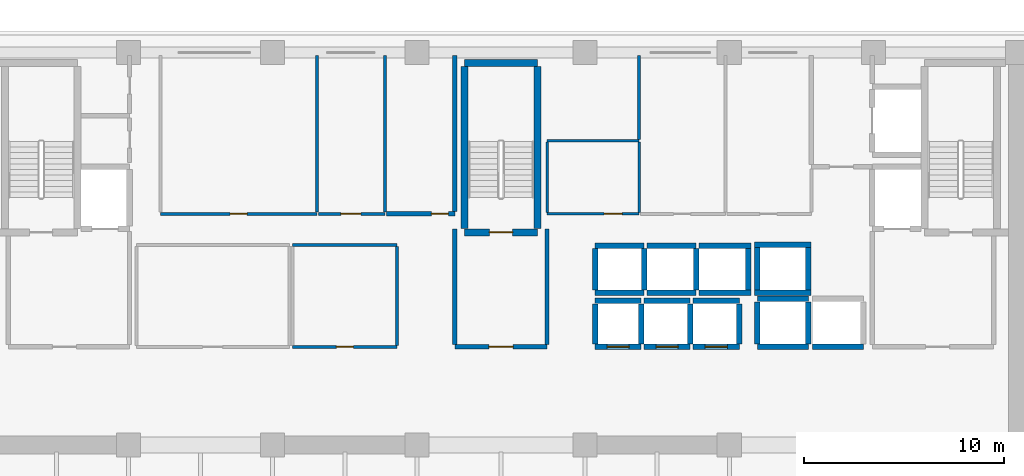
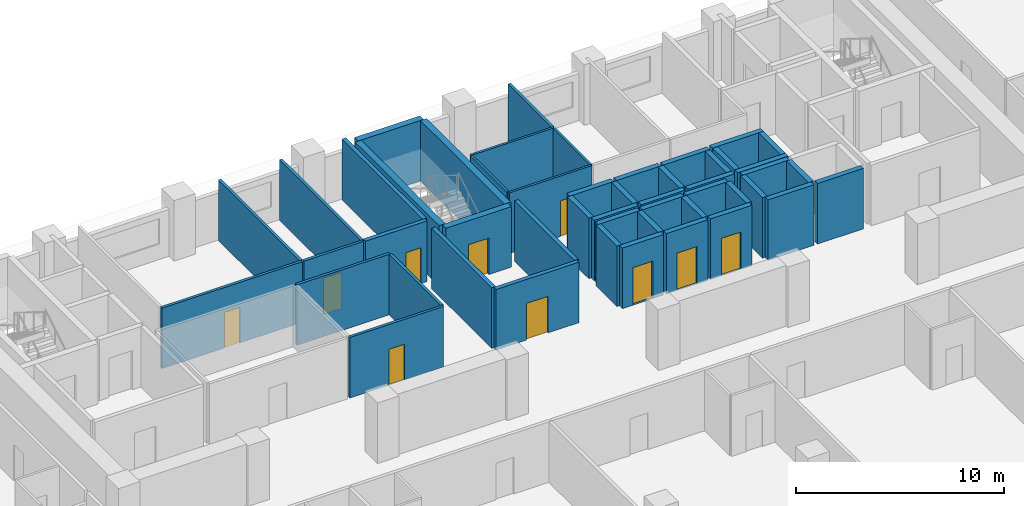
# One storey, part 6 of 14: 50 walls, 10 doors, 10 openings.
"""IFC4 building model written with IfcOpenShell, lengths in metres."""

from ifc_helpers import new_model, si_unit, direction, frame, frame_2d, origin, place, context, subcontext, project, spatial, rectangle, extrude, material, layer, layer_set, type_object, element, fill, save


model = new_model("IFC4")

# Units and contexts
model_context = context("Model", 3, precision=1e-05, world=origin(), true_north=direction((0.0, 1.0)))
body_context = subcontext(model_context, "Body", "Model", "MODEL_VIEW")
ifc_project = project(units=[si_unit("LENGTHUNIT", "METRE"), si_unit("AREAUNIT", "SQUARE_METRE"), si_unit("VOLUMEUNIT", "CUBIC_METRE"), si_unit("PLANEANGLEUNIT", "RADIAN"), si_unit("MASSUNIT", "GRAM", prefix="KILO")], contexts=[model_context])

# Site, building, storey
site_placement = place(None, origin())
site = spatial("IfcSite", under=ifc_project, at=site_placement, CompositionType="ELEMENT")
building_placement = place(site_placement, origin())
building = spatial("IfcBuilding", under=site, at=building_placement, Name="Kaelvorn Grand Hotel", CompositionType="ELEMENT")
storey_placement = place(building_placement, frame((0.0, 0.0, 205.35009765625)))
storey = spatial("IfcBuildingStorey", under=building, at=storey_placement, Name="L50", CompositionType="ELEMENT", Elevation=205.35009765625)

# Wall, opening, door
ifc_material_1 = material(Name="Moisture-Resistant Tile & Stud Board")
ifc_layer_1 = layer(ifc_material_1, 0.125)
ifc_layer_set_1 = layer_set([ifc_layer_1], Name="Moisture-Resistant Tile & Stud Board")
wall_type_1 = type_object("IfcWallType", Name="WL-PART-125-WET", PredefinedType="PARTITIONING", material=ifc_layer_set_1)
wall_1_placement = place(storey_placement, frame((44.300048828125, 40.949951171875, 0.0), z_axis=(0.0, 0.0, 1.0), x_axis=(1.0, 0.0, 0.0)))
wall_1 = element("IfcWall", 1, at=wall_1_placement, inside=storey, type_object=wall_type_1, Name="L50 Accessible WC S Partition", PredefinedType="PARTITIONING", context=body_context, shape_type="SweptSolid", body=[
    extrude(rectangle(XDim=4.599853515625, YDim=0.125, at=frame_2d((2.2998046875, 0.0))), origin(), (0.0, 0.0, 1.0), 3.559814453125),
])
opening_1_placement = place(wall_1_placement, frame((2.85009765625, 0.0, 0.0)))
opening_1 = element("IfcOpeningElement", 2, at=opening_1_placement, cuts=wall_1, Name="Opening DI4", PredefinedType="OPENING", context=body_context, shape_type="SweptSolid", body=[
    extrude(rectangle(XDim=0.89990234375, YDim=2.10009765625, at=frame_2d((0.449951171875, 1.050048828125))), frame((0.0, 0.072509765625, 0.0), z_axis=(0.0, -1.0, 0.0), x_axis=(1.0, 0.0, 0.0)), (0.0, 0.0, 1.0), 0.14501953125),
])
ifc_material_2 = material(Name="Timber Veneer Leaf", Category="wood")
door_type_1 = type_object("IfcDoorType", Name="DR-INT-BATH-900x2100", OperationType="NOTDEFINED", PredefinedType="DOOR", material=ifc_material_2)
door_1_placement = place(opening_1_placement, origin())
door_1 = element("IfcDoor", 3, at=door_1_placement, inside=storey, type_object=door_type_1, Name="L50 Accessible WC Door", OperationType="SINGLE_SWING_RIGHT", OverallHeight=2.10009765625, OverallWidth=0.89990234375, PredefinedType="DOOR", context=body_context, shape_type="SweptSolid", body=[
    extrude(rectangle(XDim=0.89990234375, YDim=2.10009765625, at=frame_2d((0.449951171875, 1.050048828125))), frame((0.0, 0.02490234375, 0.0), z_axis=(0.0, -1.0, 0.0), x_axis=(1.0, 0.0, 0.0)), (0.0, 0.0, 1.0), 0.050048828125),
])
fill(opening_1, door_1)

# Walls
wall_2_placement = place(storey_placement, frame((44.300048828125, 44.60009765625, 0.0), z_axis=(0.0, 0.0, 1.0), x_axis=(1.0, 0.0, 0.0)))
element("IfcWall", 4, at=wall_2_placement, inside=storey, type_object=wall_type_1, Name="L50 Accessible WC N Partition", PredefinedType="PARTITIONING", context=body_context, shape_type="SweptSolid", body=[
    extrude(rectangle(XDim=4.599853515625, YDim=0.125, at=frame_2d((2.2998046875, 0.0))), origin(), (0.0, 0.0, 1.0), 3.559814453125),
])
for number, where, z_axis, x_axis, name in (
    (5, (44.300048828125, 41.017578125, 0.0), (0.0, 0.0, 1.0), (0.0, 1.0, 0.0), "L50 Accessible WC W Partition"),
    (6, (48.89990234375, 41.017578125, 0.0), (0.0, 0.0, 1.0), (0.0, 1.0, 0.0), "L50 Accessible WC E Partition"),
):
    element("IfcWall", number, at=place(storey_placement, frame(where, z_axis=z_axis, x_axis=x_axis)), inside=storey, type_object=wall_type_1, Name=name, PredefinedType="PARTITIONING", context=body_context, shape_type="SweptSolid", body=[
        extrude(rectangle(XDim=3.514892578125, YDim=0.125, at=frame_2d((1.75732421875, 0.0))), origin(), (0.0, 0.0, 1.0), 3.559814453125),
    ])

# Wall, opening, door
ifc_material_3 = material(Name="Acoustic Gypsum & Stud Partition")
ifc_layer_2 = layer(ifc_material_3, 0.14990234375)
ifc_layer_set_2 = layer_set([ifc_layer_2], Name="Acoustic Gypsum & Stud Partition")
wall_type_2 = type_object("IfcWallType", Name="WL-PART-150-EI60", PredefinedType="PARTITIONING", material=ifc_layer_set_2)
wall_3_placement = place(storey_placement, frame((31.60009765625, 34.300048828125, 0.0), z_axis=(0.0, 0.0, 1.0), x_axis=(1.0, 0.0, 0.0)))
wall_3 = element("IfcWall", 7, at=wall_3_placement, inside=storey, type_object=wall_type_2, Name="L50 Core Telecoms & BMS Server Room S Partition", PredefinedType="PARTITIONING", context=body_context, shape_type="SweptSolid", body=[
    extrude(rectangle(XDim=5.199951171875, YDim=0.14990234375, at=frame_2d((2.60009765625, 0.0))), origin(), (0.0, 0.0, 1.0), 3.559814453125),
])
opening_2_placement = place(wall_3_placement, frame((2.175048828125, 0.0, 0.0)))
opening_2 = element("IfcOpeningElement", 8, at=opening_2_placement, cuts=wall_3, Name="Opening DI7", PredefinedType="OPENING", context=body_context, shape_type="SweptSolid", body=[
    extrude(rectangle(XDim=0.85009765625, YDim=2.10009765625, at=frame_2d((0.425048828125, 1.050048828125))), frame((0.0, 0.0849609375, 0.0), z_axis=(0.0, -1.0, 0.0), x_axis=(1.0, 0.0, 0.0)), (0.0, 0.0, 1.0), 0.169921875),
])
ifc_material_4 = material(Name="Powder-Coated Steel Leaf", Category="steel")
door_type_2 = type_object("IfcDoorType", Name="DR-INT-RISER-850x2100", OperationType="NOTDEFINED", PredefinedType="DOOR", material=ifc_material_4)
door_2_placement = place(opening_2_placement, origin())
door_2 = element("IfcDoor", 9, at=door_2_placement, inside=storey, type_object=door_type_2, Name="L50 Core Telecoms & BMS Server Room Door", OperationType="SINGLE_SWING_LEFT", OverallHeight=2.10009765625, OverallWidth=0.85009765625, PredefinedType="DOOR", context=body_context, shape_type="SweptSolid", body=[
    extrude(rectangle(XDim=0.85009765625, YDim=2.10009765625, at=frame_2d((0.425048828125, 1.050048828125))), frame((0.0, 0.02490234375, 0.0), z_axis=(0.0, -1.0, 0.0), x_axis=(1.0, 0.0, 0.0)), (0.0, 0.0, 1.0), 0.050048828125),
])
fill(opening_2, door_2)

# Walls
wall_4_placement = place(storey_placement, frame((31.60009765625, 39.39990234375, 0.0), z_axis=(0.0, 0.0, 1.0), x_axis=(1.0, 0.0, 0.0)))
element("IfcWall", 10, at=wall_4_placement, inside=storey, type_object=wall_type_2, Name="L50 Core Telecoms & BMS Server Room N Partition", PredefinedType="PARTITIONING", context=body_context, shape_type="SweptSolid", body=[
    extrude(rectangle(XDim=5.199951171875, YDim=0.14990234375, at=frame_2d((2.60009765625, 0.0))), origin(), (0.0, 0.0, 1.0), 3.559814453125),
])
wall_5_placement = place(storey_placement, frame((36.800048828125, 34.3798828125, 0.0), z_axis=(0.0, 0.0, 1.0), x_axis=(0.0, 1.0, 0.0)))
element("IfcWall", 11, at=wall_5_placement, inside=storey, type_object=wall_type_2, Name="L50 Core Telecoms & BMS Server Room E Partition", PredefinedType="PARTITIONING", context=body_context, shape_type="SweptSolid", body=[
    extrude(rectangle(XDim=4.940185546875, YDim=0.14990234375, at=frame_2d((2.47021484375, 0.0))), origin(), (0.0, 0.0, 1.0), 3.559814453125),
])

# Wall, opening, door
wall_6_placement = place(storey_placement, frame((25.0, 40.949951171875, 0.0), z_axis=(0.0, 0.0, 1.0), x_axis=(1.0, 0.0, 0.0)))
wall_6 = element("IfcWall", 12, at=wall_6_placement, inside=storey, type_object=wall_type_2, Name="L50 Housekeeping & Linen Room S Partition", PredefinedType="PARTITIONING", context=body_context, shape_type="SweptSolid", body=[
    extrude(rectangle(XDim=7.800048828125, YDim=0.14990234375, at=frame_2d((3.89990234375, 0.0))), origin(), (0.0, 0.0, 1.0), 3.559814453125),
])
opening_3_placement = place(wall_6_placement, frame((3.47509765625, 0.0, 0.0)))
opening_3 = element("IfcOpeningElement", 13, at=opening_3_placement, cuts=wall_6, Name="Opening DI7", PredefinedType="OPENING", context=body_context, shape_type="SweptSolid", body=[
    extrude(rectangle(XDim=0.85009765625, YDim=2.10009765625, at=frame_2d((0.425048828125, 1.050048828125))), frame((0.0, 0.0849609375, 0.0), z_axis=(0.0, -1.0, 0.0), x_axis=(1.0, 0.0, 0.0)), (0.0, 0.0, 1.0), 0.169921875),
])
door_3_placement = place(opening_3_placement, origin())
door_3 = element("IfcDoor", 14, at=door_3_placement, inside=storey, type_object=door_type_2, Name="L50 Housekeeping & Linen Room Door", OperationType="SINGLE_SWING_LEFT", OverallHeight=2.10009765625, OverallWidth=0.85009765625, PredefinedType="DOOR", context=body_context, shape_type="SweptSolid", body=[
    extrude(rectangle(XDim=0.85009765625, YDim=2.10009765625, at=frame_2d((0.425048828125, 1.050048828125))), frame((0.0, 0.02490234375, 0.0), z_axis=(0.0, -1.0, 0.0), x_axis=(1.0, 0.0, 0.0)), (0.0, 0.0, 1.0), 0.050048828125),
])
fill(opening_3, door_3)

# Wall
wall_7_placement = place(storey_placement, frame((32.800048828125, 41.030029296875, 0.0), z_axis=(0.0, 0.0, 1.0), x_axis=(0.0, 1.0, 0.0)))
element("IfcWall", 15, at=wall_7_placement, inside=storey, type_object=wall_type_2, Name="L50 Housekeeping & Linen Room E Partition", PredefinedType="PARTITIONING", context=body_context, shape_type="SweptSolid", body=[
    extrude(rectangle(XDim=7.820068359375, YDim=0.14990234375, at=frame_2d((3.91015625, 0.0))), origin(), (0.0, 0.0, 1.0), 3.559814453125),
])

# Wall, opening, door
wall_8_placement = place(storey_placement, frame((32.8798828125, 40.949951171875, 0.0), z_axis=(0.0, 0.0, 1.0), x_axis=(1.0, 0.0, 0.0)))
wall_8 = element("IfcWall", 16, at=wall_8_placement, inside=storey, type_object=wall_type_2, Name="L50 Floor Butler Tea Point S Partition", PredefinedType="PARTITIONING", context=body_context, shape_type="SweptSolid", body=[
    extrude(rectangle(XDim=3.320068359375, YDim=0.14990234375, at=frame_2d((1.66015625, 0.0))), origin(), (0.0, 0.0, 1.0), 3.559814453125),
])
opening_4_placement = place(wall_8_placement, frame((1.1201171875, 0.0, 0.0)))
opening_4 = element("IfcOpeningElement", 17, at=opening_4_placement, cuts=wall_8, Name="Opening DI3", PredefinedType="OPENING", context=body_context, shape_type="SweptSolid", body=[
    extrude(rectangle(XDim=1.0, YDim=2.14990234375, at=frame_2d((0.5, 1.074951171875))), frame((0.0, 0.0849609375, 0.0), z_axis=(0.0, -1.0, 0.0), x_axis=(1.0, 0.0, 0.0)), (0.0, 0.0, 1.0), 0.169921875),
])
ifc_material_5 = material(Name="Timber Veneer Fire Leaf", Category="wood")
door_type_3 = type_object("IfcDoorType", Name="DR-INT-GUEST-1000x2150", OperationType="NOTDEFINED", PredefinedType="DOOR", material=ifc_material_5)
door_4_placement = place(opening_4_placement, origin())
door_4 = element("IfcDoor", 18, at=door_4_placement, inside=storey, type_object=door_type_3, Name="L50 Floor Butler Tea Point Door", OperationType="SINGLE_SWING_RIGHT", OverallHeight=2.14990234375, OverallWidth=1.0, PredefinedType="DOOR", context=body_context, shape_type="SweptSolid", body=[
    extrude(rectangle(XDim=1.0, YDim=2.14990234375, at=frame_2d((0.5, 1.074951171875))), frame((0.0, 0.02490234375, 0.0), z_axis=(0.0, -1.0, 0.0), x_axis=(1.0, 0.0, 0.0)), (0.0, 0.0, 1.0), 0.050048828125),
])
fill(opening_4, door_4)

# Walls
wall_9_placement = place(storey_placement, frame((36.199951171875, 41.030029296875, 0.0), z_axis=(0.0, 0.0, 1.0), x_axis=(0.0, 1.0, 0.0)))
element("IfcWall", 19, at=wall_9_placement, inside=storey, type_object=wall_type_2, Name="L50 Floor Butler Tea Point E Partition", PredefinedType="PARTITIONING", context=body_context, shape_type="SweptSolid", body=[
    extrude(rectangle(XDim=7.820068359375, YDim=0.14990234375, at=frame_2d((3.91015625, 0.0))), origin(), (0.0, 0.0, 1.0), 3.559814453125),
])
wall_10_placement = place(storey_placement, frame((48.89990234375, 44.66748046875, 0.0), z_axis=(0.0, 0.0, 1.0), x_axis=(0.0, 1.0, 0.0)))
element("IfcWall", 20, at=wall_10_placement, inside=storey, type_object=wall_type_2, Name="L50 Minibar & Glassware Store W Partition", PredefinedType="PARTITIONING", context=body_context, shape_type="SweptSolid", body=[
    extrude(rectangle(XDim=4.1826171875, YDim=0.14990234375, at=frame_2d((2.09130859375, 0.0))), origin(), (0.0, 0.0, 1.0), 3.559814453125),
])

# Wall, opening, door
ifc_material_6 = material(Name="Concrete C40/50", Category="concrete")
ifc_layer_3 = layer(ifc_material_6, 0.219970703125)
ifc_layer_set_3 = layer_set([ifc_layer_3], Name="Concrete C40/50")
wall_type_3 = type_object("IfcWallType", Name="WL-PART-220-EI120", PredefinedType="PARTITIONING", material=ifc_layer_set_3)
wall_11_placement = place(storey_placement, frame((39.699951171875, 34.300048828125, 0.0), z_axis=(0.0, 0.0, 1.0), x_axis=(1.0, 0.0, 0.0)))
wall_11 = element("IfcWall", 21, at=wall_11_placement, inside=storey, type_object=wall_type_3, Name="L50 Central Stair Escape Vestibule S Partition", PredefinedType="PARTITIONING", context=body_context, shape_type="SweptSolid", body=[
    extrude(rectangle(XDim=4.60009765625, YDim=0.219970703125, at=frame_2d((2.300048828125, 0.0))), origin(), (0.0, 0.0, 1.0), 3.559814453125),
])
opening_5_placement = place(wall_11_placement, frame((1.699951171875, 0.0, 0.0)))
opening_5 = element("IfcOpeningElement", 22, at=opening_5_placement, cuts=wall_11, Name="Opening DI2", PredefinedType="OPENING", context=body_context, shape_type="SweptSolid", body=[
    extrude(rectangle(XDim=1.199951171875, YDim=2.14990234375, at=frame_2d((0.60009765625, 1.074951171875))), frame((0.0, 0.1201171875, 0.0), z_axis=(0.0, -1.0, 0.0), x_axis=(1.0, 0.0, 0.0)), (0.0, 0.0, 1.0), 0.239990234375),
])
door_type_4 = type_object("IfcDoorType", Name="DR-INT-FFLOB-1200x2150", OperationType="NOTDEFINED", PredefinedType="DOOR", material=ifc_material_5)
door_5_placement = place(opening_5_placement, origin())
door_5 = element("IfcDoor", 23, at=door_5_placement, inside=storey, type_object=door_type_4, Name="L50 Central Stair Escape Vestibule Door", OperationType="SINGLE_SWING_LEFT", OverallHeight=2.14990234375, OverallWidth=1.199951171875, PredefinedType="DOOR", context=body_context, shape_type="SweptSolid", body=[
    extrude(rectangle(XDim=1.199951171875, YDim=2.14990234375, at=frame_2d((0.60009765625, 1.074951171875))), frame((0.0, 0.02490234375, 0.0), z_axis=(0.0, -1.0, 0.0), x_axis=(1.0, 0.0, 0.0)), (0.0, 0.0, 1.0), 0.050048828125),
])
fill(opening_5, door_5)

# Walls
for number, where, z_axis, x_axis, name in (
    (24, (39.699951171875, 34.4150390625, 0.0), (0.0, 0.0, 1.0), (0.0, 1.0, 0.0), "L50 Central Stair Escape Vestibule W Partition"),
    (25, (44.300048828125, 34.4150390625, 0.0), (0.0, 0.0, 1.0), (0.0, 1.0, 0.0), "L50 Central Stair Escape Vestibule E Partition"),
):
    element("IfcWall", number, at=place(storey_placement, frame(where, z_axis=z_axis, x_axis=x_axis)), inside=storey, type_object=wall_type_3, Name=name, PredefinedType="PARTITIONING", context=body_context, shape_type="SweptSolid", body=[
        extrude(rectangle(XDim=5.784912109375, YDim=0.219970703125, at=frame_2d((2.892578125, 0.0))), origin(), (0.0, 0.0, 1.0), 3.559814453125),
    ])

# Wall, opening, door
wall_12_placement = place(storey_placement, frame((36.280029296875, 40.949951171875, 0.0), z_axis=(0.0, 0.0, 1.0), x_axis=(1.0, 0.0, 0.0)))
wall_12 = element("IfcWall", 26, at=wall_12_placement, inside=storey, type_object=wall_type_3, Name="L50 LV Electrical & Metering Room S Partition", PredefinedType="PARTITIONING", context=body_context, shape_type="SweptSolid", body=[
    extrude(rectangle(XDim=3.419921875, YDim=0.219970703125, at=frame_2d((1.7099609375, 0.0))), origin(), (0.0, 0.0, 1.0), 3.559814453125),
])
opening_6_placement = place(wall_12_placement, frame((2.2451171875, 0.0, 0.0)))
opening_6 = element("IfcOpeningElement", 27, at=opening_6_placement, cuts=wall_12, Name="Opening DI7", PredefinedType="OPENING", context=body_context, shape_type="SweptSolid", body=[
    extrude(rectangle(XDim=0.85009765625, YDim=2.10009765625, at=frame_2d((0.425048828125, 1.050048828125))), frame((0.0, 0.1201171875, 0.0), z_axis=(0.0, -1.0, 0.0), x_axis=(1.0, 0.0, 0.0)), (0.0, 0.0, 1.0), 0.239990234375),
])
door_6_placement = place(opening_6_placement, origin())
door_6 = element("IfcDoor", 28, at=door_6_placement, inside=storey, type_object=door_type_2, Name="L50 LV Electrical & Metering Room Door", OperationType="SINGLE_SWING_LEFT", OverallHeight=2.10009765625, OverallWidth=0.85009765625, PredefinedType="DOOR", context=body_context, shape_type="SweptSolid", body=[
    extrude(rectangle(XDim=0.85009765625, YDim=2.10009765625, at=frame_2d((0.425048828125, 1.050048828125))), frame((0.0, 0.02490234375, 0.0), z_axis=(0.0, -1.0, 0.0), x_axis=(1.0, 0.0, 0.0)), (0.0, 0.0, 1.0), 0.050048828125),
])
fill(opening_6, door_6)

# Wall
wall_13_placement = place(storey_placement, frame((39.699951171875, 41.06494140625, 0.0), z_axis=(0.0, 0.0, 1.0), x_axis=(0.0, 1.0, 0.0)))
element("IfcWall", 29, at=wall_13_placement, inside=storey, type_object=wall_type_3, Name="L50 LV Electrical & Metering Room E Partition", PredefinedType="PARTITIONING", context=body_context, shape_type="SweptSolid", body=[
    extrude(rectangle(XDim=7.78515625, YDim=0.219970703125, at=frame_2d((3.892578125, 0.0))), origin(), (0.0, 0.0, 1.0), 3.559814453125),
])

# Wall, opening, door
ifc_material_7 = material(Name="Concrete C50/60", Category="concrete")
ifc_layer_4 = layer(ifc_material_7, 0.280029296875)
ifc_layer_set_4 = layer_set([ifc_layer_4], Name="Concrete C50/60")
wall_type_4 = type_object("IfcWallType", Name="WL-SHAFT-280-C50", PredefinedType="SHEAR", material=ifc_layer_set_4)
wall_14_placement = place(storey_placement, frame((46.699951171875, 34.300048828125, 0.0), z_axis=(0.0, 0.0, 1.0), x_axis=(1.0, 0.0, 0.0)))
wall_14 = element("IfcWall", 30, at=wall_14_placement, inside=storey, type_object=wall_type_4, Name="L50 Lift PL-M1 Shaft South Wall", PredefinedType="SHEAR", context=body_context, shape_type="SweptSolid", body=[
    extrude(rectangle(XDim=2.300048828125, YDim=0.280029296875, at=frame_2d((1.14990234375, 0.0))), origin(), (0.0, 0.0, 1.0), 3.559814453125),
])
opening_7_placement = place(wall_14_placement, frame((0.60009765625, 0.0, 0.0)))
opening_7 = element("IfcOpeningElement", 31, at=opening_7_placement, cuts=wall_14, Name="Opening LD-PL-M1", PredefinedType="OPENING", context=body_context, shape_type="SweptSolid", body=[
    extrude(rectangle(XDim=1.10009765625, YDim=2.199951171875, at=frame_2d((0.550048828125, 1.10009765625))), frame((0.0, 0.14990234375, 0.0), z_axis=(0.0, -1.0, 0.0), x_axis=(1.0, 0.0, 0.0)), (0.0, 0.0, 1.0), 0.300048828125),
])
ifc_material_8 = material(Name="Stainless Steel", Category="steel")
door_type_5 = type_object("IfcDoorType", Name="DR-LIFT-PASS-1100x2200", OperationType="DOUBLE_DOOR_SLIDING", PredefinedType="DOOR", material=ifc_material_8)
door_7_placement = place(opening_7_placement, origin())
door_7 = element("IfcDoor", 32, at=door_7_placement, inside=storey, type_object=door_type_5, Name="L50 Lift PL-M1 Sliding Landing Door LD-PL-M1", OperationType="DOUBLE_DOOR_SLIDING", OverallHeight=2.199951171875, OverallWidth=1.10009765625, PredefinedType="DOOR", context=body_context, shape_type="SweptSolid", body=[
    extrude(rectangle(XDim=1.10009765625, YDim=2.199951171875, at=frame_2d((0.550048828125, 1.10009765625))), frame((0.0, 0.02490234375, 0.0), z_axis=(0.0, -1.0, 0.0), x_axis=(1.0, 0.0, 0.0)), (0.0, 0.0, 1.0), 0.050048828125),
])
fill(opening_7, door_7)

# Walls
wall_15_placement = place(storey_placement, frame((46.699951171875, 36.60009765625, 0.0), z_axis=(0.0, 0.0, 1.0), x_axis=(1.0, 0.0, 0.0)))
element("IfcWall", 33, at=wall_15_placement, inside=storey, type_object=wall_type_4, Name="L50 Lift PL-M1 Shaft North Wall", PredefinedType="SHEAR", context=body_context, shape_type="SweptSolid", body=[
    extrude(rectangle(XDim=2.300048828125, YDim=0.280029296875, at=frame_2d((1.14990234375, 0.0))), origin(), (0.0, 0.0, 1.0), 3.559814453125),
])
for number, where, z_axis, x_axis, name in (
    (34, (46.699951171875, 34.445068359375, 0.0), (0.0, 0.0, 1.0), (0.0, 1.0, 0.0), "L50 Lift PL-M1 Shaft West Wall"),
    (35, (49.0, 34.445068359375, 0.0), (0.0, 0.0, 1.0), (0.0, 1.0, 0.0), "L50 Lift PL-M1 Shaft East Wall"),
):
    element("IfcWall", number, at=place(storey_placement, frame(where, z_axis=z_axis, x_axis=x_axis)), inside=storey, type_object=wall_type_4, Name=name, PredefinedType="SHEAR", context=body_context, shape_type="SweptSolid", body=[
        extrude(rectangle(XDim=2.010009765625, YDim=0.280029296875, at=frame_2d((1.0048828125, 0.0))), origin(), (0.0, 0.0, 1.0), 3.559814453125),
    ])

# Wall, opening, door
wall_16_placement = place(storey_placement, frame((49.14990234375, 34.300048828125, 0.0), z_axis=(0.0, 0.0, 1.0), x_axis=(1.0, 0.0, 0.0)))
wall_16 = element("IfcWall", 36, at=wall_16_placement, inside=storey, type_object=wall_type_4, Name="L50 Lift PL-M2 Shaft South Wall", PredefinedType="SHEAR", context=body_context, shape_type="SweptSolid", body=[
    extrude(rectangle(XDim=2.300048828125, YDim=0.280029296875, at=frame_2d((1.14990234375, 0.0))), origin(), (0.0, 0.0, 1.0), 3.559814453125),
])
opening_8_placement = place(wall_16_placement, frame((0.60009765625, 0.0, 0.0)))
opening_8 = element("IfcOpeningElement", 37, at=opening_8_placement, cuts=wall_16, Name="Opening LD-PL-M2", PredefinedType="OPENING", context=body_context, shape_type="SweptSolid", body=[
    extrude(rectangle(XDim=1.10009765625, YDim=2.199951171875, at=frame_2d((0.550048828125, 1.10009765625))), frame((0.0, 0.14990234375, 0.0), z_axis=(0.0, -1.0, 0.0), x_axis=(1.0, 0.0, 0.0)), (0.0, 0.0, 1.0), 0.300048828125),
])
door_8_placement = place(opening_8_placement, origin())
door_8 = element("IfcDoor", 38, at=door_8_placement, inside=storey, type_object=door_type_5, Name="L50 Lift PL-M2 Sliding Landing Door LD-PL-M2", OperationType="DOUBLE_DOOR_SLIDING", OverallHeight=2.199951171875, OverallWidth=1.10009765625, PredefinedType="DOOR", context=body_context, shape_type="SweptSolid", body=[
    extrude(rectangle(XDim=1.10009765625, YDim=2.199951171875, at=frame_2d((0.550048828125, 1.10009765625))), frame((0.0, 0.02490234375, 0.0), z_axis=(0.0, -1.0, 0.0), x_axis=(1.0, 0.0, 0.0)), (0.0, 0.0, 1.0), 0.050048828125),
])
fill(opening_8, door_8)

# Walls
wall_17_placement = place(storey_placement, frame((49.14990234375, 36.60009765625, 0.0), z_axis=(0.0, 0.0, 1.0), x_axis=(1.0, 0.0, 0.0)))
element("IfcWall", 39, at=wall_17_placement, inside=storey, type_object=wall_type_4, Name="L50 Lift PL-M2 Shaft North Wall", PredefinedType="SHEAR", context=body_context, shape_type="SweptSolid", body=[
    extrude(rectangle(XDim=2.300048828125, YDim=0.280029296875, at=frame_2d((1.14990234375, 0.0))), origin(), (0.0, 0.0, 1.0), 3.559814453125),
])
wall_18_placement = place(storey_placement, frame((51.449951171875, 34.445068359375, 0.0), z_axis=(0.0, 0.0, 1.0), x_axis=(0.0, 1.0, 0.0)))
element("IfcWall", 40, at=wall_18_placement, inside=storey, type_object=wall_type_4, Name="L50 Lift PL-M2 Shaft East Wall", PredefinedType="SHEAR", context=body_context, shape_type="SweptSolid", body=[
    extrude(rectangle(XDim=2.010009765625, YDim=0.280029296875, at=frame_2d((1.0048828125, 0.0))), origin(), (0.0, 0.0, 1.0), 3.559814453125),
])

# Wall, opening, door
wall_19_placement = place(storey_placement, frame((51.60009765625, 34.300048828125, 0.0), z_axis=(0.0, 0.0, 1.0), x_axis=(1.0, 0.0, 0.0)))
wall_19 = element("IfcWall", 41, at=wall_19_placement, inside=storey, type_object=wall_type_4, Name="L50 Lift PL-M3 Shaft South Wall", PredefinedType="SHEAR", context=body_context, shape_type="SweptSolid", body=[
    extrude(rectangle(XDim=2.2998046875, YDim=0.280029296875, at=frame_2d((1.14990234375, 0.0))), origin(), (0.0, 0.0, 1.0), 3.559814453125),
])
opening_9_placement = place(wall_19_placement, frame((0.60009765625, 0.0, 0.0)))
opening_9 = element("IfcOpeningElement", 42, at=opening_9_placement, cuts=wall_19, Name="Opening LD-PL-M3", PredefinedType="OPENING", context=body_context, shape_type="SweptSolid", body=[
    extrude(rectangle(XDim=1.10009765625, YDim=2.199951171875, at=frame_2d((0.550048828125, 1.10009765625))), frame((0.0, 0.14990234375, 0.0), z_axis=(0.0, -1.0, 0.0), x_axis=(1.0, 0.0, 0.0)), (0.0, 0.0, 1.0), 0.300048828125),
])
door_9_placement = place(opening_9_placement, origin())
door_9 = element("IfcDoor", 43, at=door_9_placement, inside=storey, type_object=door_type_5, Name="L50 Lift PL-M3 Sliding Landing Door LD-PL-M3", OperationType="DOUBLE_DOOR_SLIDING", OverallHeight=2.199951171875, OverallWidth=1.10009765625, PredefinedType="DOOR", context=body_context, shape_type="SweptSolid", body=[
    extrude(rectangle(XDim=1.10009765625, YDim=2.199951171875, at=frame_2d((0.550048828125, 1.10009765625))), frame((0.0, 0.02490234375, 0.0), z_axis=(0.0, -1.0, 0.0), x_axis=(1.0, 0.0, 0.0)), (0.0, 0.0, 1.0), 0.050048828125),
])
fill(opening_9, door_9)

# Walls
wall_20_placement = place(storey_placement, frame((51.60009765625, 36.60009765625, 0.0), z_axis=(0.0, 0.0, 1.0), x_axis=(1.0, 0.0, 0.0)))
element("IfcWall", 44, at=wall_20_placement, inside=storey, type_object=wall_type_4, Name="L50 Lift PL-M3 Shaft North Wall", PredefinedType="SHEAR", context=body_context, shape_type="SweptSolid", body=[
    extrude(rectangle(XDim=2.2998046875, YDim=0.280029296875, at=frame_2d((1.14990234375, 0.0))), origin(), (0.0, 0.0, 1.0), 3.559814453125),
])
wall_21_placement = place(storey_placement, frame((53.89990234375, 34.445068359375, 0.0), z_axis=(0.0, 0.0, 1.0), x_axis=(0.0, 1.0, 0.0)))
element("IfcWall", 45, at=wall_21_placement, inside=storey, type_object=wall_type_4, Name="L50 Lift PL-M3 Shaft East Wall", PredefinedType="SHEAR", context=body_context, shape_type="SweptSolid", body=[
    extrude(rectangle(XDim=2.010009765625, YDim=0.280029296875, at=frame_2d((1.0048828125, 0.0))), origin(), (0.0, 0.0, 1.0), 3.559814453125),
])
for number, where, z_axis, x_axis, name in (
    (46, (46.699951171875, 37.0, 0.0), (0.0, 0.0, 1.0), (1.0, 0.0, 0.0), "L50 Lift SL-1 Shaft South Wall"),
    (47, (46.699951171875, 39.35009765625, 0.0), (0.0, 0.0, 1.0), (1.0, 0.0, 0.0), "L50 Lift SL-1 Shaft North Wall"),
):
    element("IfcWall", number, at=place(storey_placement, frame(where, z_axis=z_axis, x_axis=x_axis)), inside=storey, type_object=wall_type_4, Name=name, PredefinedType="SHEAR", context=body_context, shape_type="SweptSolid", body=[
        extrude(rectangle(XDim=2.449951171875, YDim=0.280029296875, at=frame_2d((1.22509765625, 0.0))), origin(), (0.0, 0.0, 1.0), 3.559814453125),
    ])
for number, where, z_axis, x_axis, name in (
    (48, (46.699951171875, 37.14501953125, 0.0), (0.0, 0.0, 1.0), (0.0, 1.0, 0.0), "L50 Lift SL-1 Shaft West Wall"),
    (49, (49.14990234375, 37.14501953125, 0.0), (0.0, 0.0, 1.0), (0.0, 1.0, 0.0), "L50 Lift SL-1 Shaft East Wall"),
):
    element("IfcWall", number, at=place(storey_placement, frame(where, z_axis=z_axis, x_axis=x_axis)), inside=storey, type_object=wall_type_4, Name=name, PredefinedType="SHEAR", context=body_context, shape_type="SweptSolid", body=[
        extrude(rectangle(XDim=2.06005859375, YDim=0.280029296875, at=frame_2d((1.030029296875, 0.0))), origin(), (0.0, 0.0, 1.0), 3.559814453125),
    ])
for number, where, z_axis, x_axis, name in (
    (50, (49.300048828125, 37.0, 0.0), (0.0, 0.0, 1.0), (1.0, 0.0, 0.0), "L50 Lift SL-2 Shaft South Wall"),
    (51, (49.300048828125, 39.35009765625, 0.0), (0.0, 0.0, 1.0), (1.0, 0.0, 0.0), "L50 Lift SL-2 Shaft North Wall"),
):
    element("IfcWall", number, at=place(storey_placement, frame(where, z_axis=z_axis, x_axis=x_axis)), inside=storey, type_object=wall_type_4, Name=name, PredefinedType="SHEAR", context=body_context, shape_type="SweptSolid", body=[
        extrude(rectangle(XDim=2.449951171875, YDim=0.280029296875, at=frame_2d((1.22509765625, 0.0))), origin(), (0.0, 0.0, 1.0), 3.559814453125),
    ])
wall_22_placement = place(storey_placement, frame((51.75, 37.14501953125, 0.0), z_axis=(0.0, 0.0, 1.0), x_axis=(0.0, 1.0, 0.0)))
element("IfcWall", 52, at=wall_22_placement, inside=storey, type_object=wall_type_4, Name="L50 Lift SL-2 Shaft East Wall", PredefinedType="SHEAR", context=body_context, shape_type="SweptSolid", body=[
    extrude(rectangle(XDim=2.06005859375, YDim=0.280029296875, at=frame_2d((1.030029296875, 0.0))), origin(), (0.0, 0.0, 1.0), 3.559814453125),
])
for number, where, z_axis, x_axis, name in (
    (53, (51.89990234375, 37.0, 0.0), (0.0, 0.0, 1.0), (1.0, 0.0, 0.0), "L50 Lift SL-3 Shaft South Wall"),
    (54, (51.89990234375, 39.35009765625, 0.0), (0.0, 0.0, 1.0), (1.0, 0.0, 0.0), "L50 Lift SL-3 Shaft North Wall"),
):
    element("IfcWall", number, at=place(storey_placement, frame(where, z_axis=z_axis, x_axis=x_axis)), inside=storey, type_object=wall_type_4, Name=name, PredefinedType="SHEAR", context=body_context, shape_type="SweptSolid", body=[
        extrude(rectangle(XDim=2.590087890625, YDim=0.280029296875, at=frame_2d((1.294921875, 0.0))), origin(), (0.0, 0.0, 1.0), 3.559814453125),
    ])
wall_23_placement = place(storey_placement, frame((54.35009765625, 37.14501953125, 0.0), z_axis=(0.0, 0.0, 1.0), x_axis=(0.0, 1.0, 0.0)))
element("IfcWall", 55, at=wall_23_placement, inside=storey, type_object=wall_type_4, Name="L50 Lift SL-3 Shaft East Wall", PredefinedType="SHEAR", context=body_context, shape_type="SweptSolid", body=[
    extrude(rectangle(XDim=2.06005859375, YDim=0.280029296875, at=frame_2d((1.030029296875, 0.0))), origin(), (0.0, 0.0, 1.0), 3.559814453125),
])
for number, where, z_axis, x_axis, name in (
    (56, (54.800048828125, 34.300048828125, 0.0), (0.0, 0.0, 1.0), (1.0, 0.0, 0.0), "L50 Lift OL-1 Shaft South Wall"),
    (57, (54.800048828125, 36.699951171875, 0.0), (0.0, 0.0, 1.0), (1.0, 0.0, 0.0), "L50 Lift OL-1 Shaft North Wall"),
):
    element("IfcWall", number, at=place(storey_placement, frame(where, z_axis=z_axis, x_axis=x_axis)), inside=storey, type_object=wall_type_4, Name=name, PredefinedType="SHEAR", context=body_context, shape_type="SweptSolid", body=[
        extrude(rectangle(XDim=2.550048828125, YDim=0.280029296875, at=frame_2d((1.27490234375, 0.0))), origin(), (0.0, 0.0, 1.0), 3.559814453125),
    ])
for number, where, z_axis, x_axis, name in (
    (58, (54.800048828125, 34.445068359375, 0.0), (0.0, 0.0, 1.0), (0.0, 1.0, 0.0), "L50 Lift OL-1 Shaft West Wall"),
    (59, (57.35009765625, 34.445068359375, 0.0), (0.0, 0.0, 1.0), (0.0, 1.0, 0.0), "L50 Lift OL-1 Shaft East Wall"),
):
    element("IfcWall", number, at=place(storey_placement, frame(where, z_axis=z_axis, x_axis=x_axis)), inside=storey, type_object=wall_type_4, Name=name, PredefinedType="SHEAR", context=body_context, shape_type="SweptSolid", body=[
        extrude(rectangle(XDim=2.10986328125, YDim=0.280029296875, at=frame_2d((1.054931640625, 0.0))), origin(), (0.0, 0.0, 1.0), 3.559814453125),
    ])
wall_24_placement = place(storey_placement, frame((57.550048828125, 34.300048828125, 0.0), z_axis=(0.0, 0.0, 1.0), x_axis=(1.0, 0.0, 0.0)))
element("IfcWall", 60, at=wall_24_placement, inside=storey, type_object=wall_type_4, Name="L50 Lift OL-2 Shaft South Wall", PredefinedType="SHEAR", context=body_context, shape_type="SweptSolid", body=[
    extrude(rectangle(XDim=2.550048828125, YDim=0.280029296875, at=frame_2d((1.27490234375, 0.0))), origin(), (0.0, 0.0, 1.0), 3.559814453125),
])
for number, where, z_axis, x_axis, name in (
    (61, (54.659912109375, 37.0, 0.0), (0.0, 0.0, 1.0), (1.0, 0.0, 0.0), "L50 Lift OL-3 Shaft South Wall"),
    (62, (54.659912109375, 39.39990234375, 0.0), (0.0, 0.0, 1.0), (1.0, 0.0, 0.0), "L50 Lift OL-3 Shaft North Wall"),
):
    element("IfcWall", number, at=place(storey_placement, frame(where, z_axis=z_axis, x_axis=x_axis)), inside=storey, type_object=wall_type_4, Name=name, PredefinedType="SHEAR", context=body_context, shape_type="SweptSolid", body=[
        extrude(rectangle(XDim=2.830078125, YDim=0.280029296875, at=frame_2d((1.4150390625, 0.0))), origin(), (0.0, 0.0, 1.0), 3.559814453125),
    ])
for number, where, z_axis, x_axis, name in (
    (63, (54.800048828125, 37.14501953125, 0.0), (0.0, 0.0, 1.0), (0.0, 1.0, 0.0), "L50 Lift OL-3 Shaft West Wall"),
    (64, (57.35009765625, 37.14501953125, 0.0), (0.0, 0.0, 1.0), (0.0, 1.0, 0.0), "L50 Lift OL-3 Shaft East Wall"),
):
    element("IfcWall", number, at=place(storey_placement, frame(where, z_axis=z_axis, x_axis=x_axis)), inside=storey, type_object=wall_type_4, Name=name, PredefinedType="SHEAR", context=body_context, shape_type="SweptSolid", body=[
        extrude(rectangle(XDim=2.10986328125, YDim=0.280029296875, at=frame_2d((1.054931640625, 0.0))), origin(), (0.0, 0.0, 1.0), 3.559814453125),
    ])

# Wall, opening, door
ifc_material_9 = material(Name="Concrete C60/75", Category="concrete")
ifc_layer_5 = layer(ifc_material_9, 0.35009765625)
ifc_layer_set_5 = layer_set([ifc_layer_5], Name="Concrete C60/75")
wall_type_5 = type_object("IfcWallType", Name="WL-SHAFT-350-C60", PredefinedType="SHEAR", material=ifc_layer_set_5)
wall_25_placement = place(storey_placement, frame((40.18505859375, 40.02490234375, 0.0), z_axis=(0.0, 0.0, 1.0), x_axis=(1.0, 0.0, 0.0)))
wall_25 = element("IfcWall", 65, at=wall_25_placement, inside=storey, type_object=wall_type_5, Name="L50 ST2 Stair Shaft South Wall", PredefinedType="SHEAR", context=body_context, shape_type="SweptSolid", body=[
    extrude(rectangle(XDim=3.6298828125, YDim=0.35009765625, at=frame_2d((1.81494140625, 0.0))), origin(), (0.0, 0.0, 1.0), 3.559814453125),
])
opening_10_placement = place(wall_25_placement, frame((1.239990234375, 0.0, 0.0)))
opening_10 = element("IfcOpeningElement", 66, at=opening_10_placement, cuts=wall_25, Name="Opening DI1", PredefinedType="OPENING", context=body_context, shape_type="SweptSolid", body=[
    extrude(rectangle(XDim=1.14990234375, YDim=2.14990234375, at=frame_2d((0.574951171875, 1.074951171875))), frame((0.0, 0.18505859375, 0.0), z_axis=(0.0, -1.0, 0.0), x_axis=(1.0, 0.0, 0.0)), (0.0, 0.0, 1.0), 0.3701171875),
])
door_type_6 = type_object("IfcDoorType", Name="DR-INT-STAIR-1150x2150", OperationType="NOTDEFINED", PredefinedType="DOOR", material=ifc_material_5)
door_10_placement = place(opening_10_placement, origin())
door_10 = element("IfcDoor", 67, at=door_10_placement, inside=storey, type_object=door_type_6, Name="L50 ST2 Exit Stair Fire Door", OperationType="SINGLE_SWING_LEFT", OverallHeight=2.14990234375, OverallWidth=1.14990234375, PredefinedType="DOOR", context=body_context, shape_type="SweptSolid", body=[
    extrude(rectangle(XDim=1.14990234375, YDim=2.14990234375, at=frame_2d((0.574951171875, 1.074951171875))), frame((0.0, 0.02490234375, 0.0), z_axis=(0.0, -1.0, 0.0), x_axis=(1.0, 0.0, 0.0)), (0.0, 0.0, 1.0), 0.050048828125),
])
fill(opening_10, door_10)

# Walls
wall_26_placement = place(storey_placement, frame((40.18505859375, 48.47509765625, 0.0), z_axis=(0.0, 0.0, 1.0), x_axis=(1.0, 0.0, 0.0)))
element("IfcWall", 68, at=wall_26_placement, inside=storey, type_object=wall_type_5, Name="L50 ST2 Stair Shaft North Wall", PredefinedType="SHEAR", context=body_context, shape_type="SweptSolid", body=[
    extrude(rectangle(XDim=3.6298828125, YDim=0.35009765625, at=frame_2d((1.81494140625, 0.0))), origin(), (0.0, 0.0, 1.0), 3.559814453125),
])
for number, where, z_axis, x_axis, name in (
    (69, (40.18505859375, 40.205078125, 0.0), (0.0, 0.0, 1.0), (0.0, 1.0, 0.0), "L50 ST2 Stair Shaft West Wall"),
    (70, (43.81494140625, 40.205078125, 0.0), (0.0, 0.0, 1.0), (0.0, 1.0, 0.0), "L50 ST2 Stair Shaft East Wall"),
):
    element("IfcWall", number, at=place(storey_placement, frame(where, z_axis=z_axis, x_axis=x_axis)), inside=storey, type_object=wall_type_5, Name=name, PredefinedType="SHEAR", context=body_context, shape_type="SweptSolid", body=[
        extrude(rectangle(XDim=8.08984375, YDim=0.35009765625, at=frame_2d((4.044921875, 0.0))), origin(), (0.0, 0.0, 1.0), 3.559814453125),
    ])

save(model, "model.ifc")
